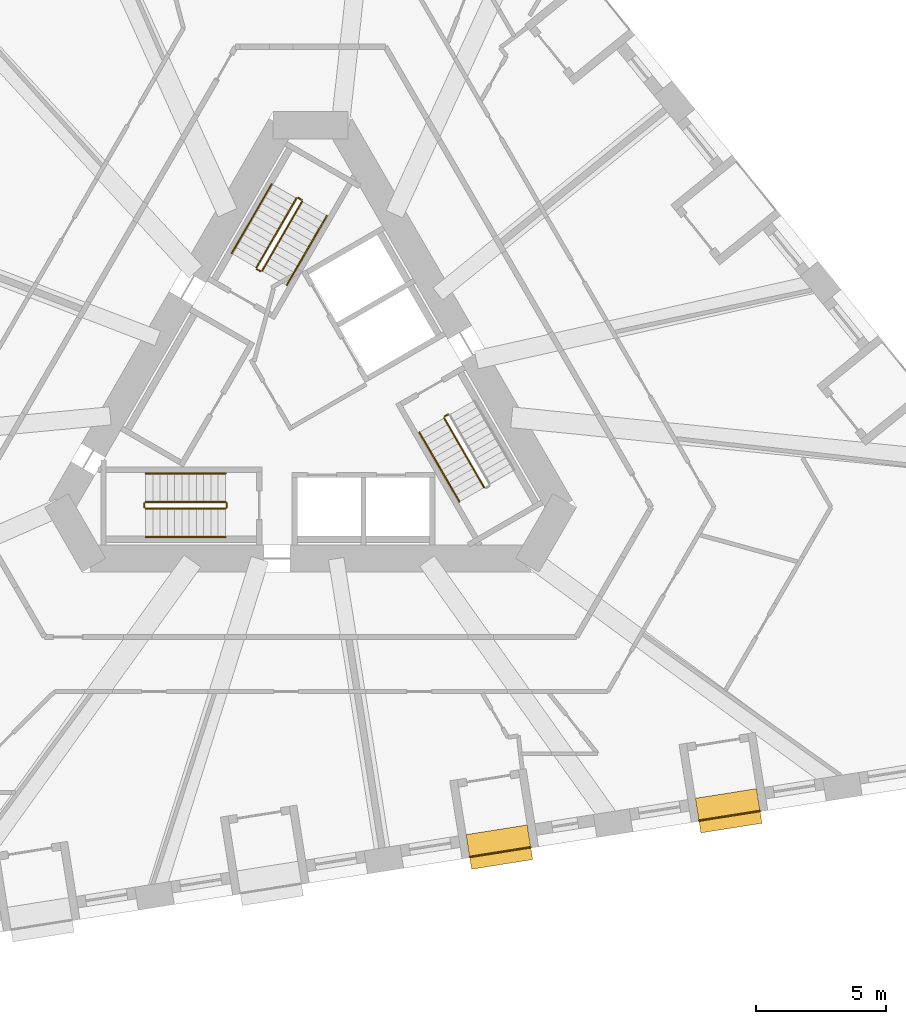
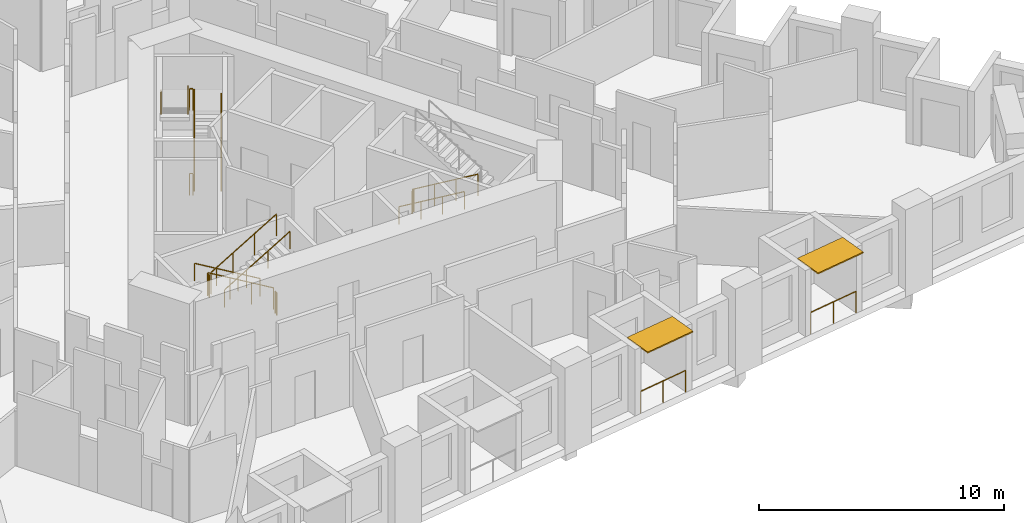
# One storey, part 11 of 13: 17 railings, 2 shading devices.
"""IFC4 building model written with IfcOpenShell, lengths in metres."""

from ifc_helpers import new_model, si_unit, direction, frame, origin, origin_2d, place, context, subcontext, project, spatial, rectangle, circle, extrude, material, layer, layer_set, type_object, element, save


model = new_model("IFC4")

# Units and contexts
model_context = context("Model", 3, precision=1e-05, world=origin(), true_north=direction((0.0, 1.0)))
body_context = subcontext(model_context, "Body", "Model", "MODEL_VIEW")
ifc_project = project(units=[si_unit("LENGTHUNIT", "METRE"), si_unit("AREAUNIT", "SQUARE_METRE"), si_unit("VOLUMEUNIT", "CUBIC_METRE"), si_unit("PLANEANGLEUNIT", "RADIAN"), si_unit("MASSUNIT", "GRAM", prefix="KILO")], contexts=[model_context])

# Site, building, storey
site_placement = place(None, origin())
site = spatial("IfcSite", under=ifc_project, at=site_placement, CompositionType="ELEMENT")
building_placement = place(site_placement, origin())
building = spatial("IfcBuilding", under=site, at=building_placement, Name="Tramontana Tower", CompositionType="ELEMENT")
storey_placement = place(building_placement, frame((0.0, 0.0, 51.199951171875)))
storey = spatial("IfcBuildingStorey", under=building, at=storey_placement, Name="L10", CompositionType="ELEMENT", Elevation=51.199951171875)

# Railings
ifc_material_1 = material(Name="Laminated glass balustrade", Category="glass")
railing_type_1 = type_object("IfcRailingType", Name="GD1 Loggia glass balustrade 1100", PredefinedType="BALUSTRADE", material=ifc_material_1)
railing_1_placement = place(storey_placement, frame((6.1318359375, -17.72900390625, 0.0)))
element("IfcRailing", 1, at=railing_1_placement, inside=storey, type_object=railing_type_1, Name="Loggia balustrade L10 G1S1.10", PredefinedType="BALUSTRADE", context=body_context, shape_type="SweptSolid", body=[
    extrude(circle(Radius=0.02392578125, at=origin_2d()), frame((0.0, 0.0, 1.076171875), z_axis=(0.987688093492, 0.15643602518, 0.0), x_axis=(-0.15643602518, 0.987688093492, 0.0)), (0.0, 0.0, 1.0), 2.383056640625),
    extrude(circle(Radius=0.02099609375, at=origin_2d()), origin(), (0.0, 0.0, 1.0), 1.052001953125),
    extrude(circle(Radius=0.02099609375, at=origin_2d()), frame((1.1767578125, 0.1865234375, 0.0)), (0.0, 0.0, 1.0), 1.052001953125),
    extrude(circle(Radius=0.02099609375, at=origin_2d()), frame((2.353759765625, 0.372802734375, 0.0)), (0.0, 0.0, 1.0), 1.052001953125),
])
railing_2_placement = place(storey_placement, frame((14.970703125, -16.3291015625, 0.0)))
element("IfcRailing", 2, at=railing_2_placement, inside=storey, type_object=railing_type_1, Name="Loggia balustrade L10 G1S1.13", PredefinedType="BALUSTRADE", context=body_context, shape_type="SweptSolid", body=[
    extrude(circle(Radius=0.02392578125, at=origin_2d()), frame((0.0, 0.0, 1.076171875), z_axis=(0.987685586014, 0.156451855793, 0.0), x_axis=(-0.156451855793, 0.987685586014, 0.0)), (0.0, 0.0, 1.0), 2.3828125),
    extrude(circle(Radius=0.02099609375, at=origin_2d()), origin(), (0.0, 0.0, 1.0), 1.052001953125),
    extrude(circle(Radius=0.02099609375, at=origin_2d()), frame((1.1767578125, 0.1865234375, 0.0)), (0.0, 0.0, 1.0), 1.052001953125),
    extrude(circle(Radius=0.02099609375, at=origin_2d()), frame((2.353515625, 0.372802734375, 0.0)), (0.0, 0.0, 1.0), 1.052001953125),
])

# Shading devices
ifc_material_2 = material(Name="Precast concrete 60 MPa", Category="concrete")
ifc_layer = layer(ifc_material_2, 0.06005859375)
ifc_layer_set = layer_set([ifc_layer], Name="SS1 Stone sunshade blade 60")
shading_device_type = type_object("IfcShadingDeviceType", Name="SS1 Stone sunshade blade 60", PredefinedType="USERDEFINED", material=ifc_layer_set)
for number, where, z_axis, x_axis, name in (
    (3, (7.2783203125, -17.35009765625, 3.239990234375), (0.0, 0.0, 1.0), (0.987688340595, 0.15643446504, 0.0), "Sunshade L10 G1S1.10"),
    (4, (16.116943359375, -15.9501953125, 3.239990234375), (0.0, 0.0, 1.0), (0.987688340595, 0.15643446504, 0.0), "Sunshade L10 G1S1.13"),
):
    element("IfcShadingDevice", number, at=place(storey_placement, frame(where, z_axis=z_axis, x_axis=x_axis)), inside=storey, type_object=shading_device_type, Name=name, ObjectType="SUNSHADE", PredefinedType="USERDEFINED", context=body_context, shape_type="SweptSolid", body=[
        extrude(rectangle(XDim=2.383056640625, YDim=1.35009765625, at=origin_2d()), origin(), (0.0, 0.0, 1.0), 0.06005859375),
    ])

# Railings
ifc_material_3 = material(Name="Painted steel", Category="steel")
railing_type_2 = type_object("IfcRailingType", Name="STAIR GUARD 1100", PredefinedType="GUARDRAIL", material=ifc_material_3)
railing_3_placement = place(storey_placement, frame((-1.867431640625, 4.865478515625, 0.166748046875)))
element("IfcRailing", 5, at=railing_3_placement, inside=storey, type_object=railing_type_2, Name="L10 ST1 stair guard 1", PredefinedType="GUARDRAIL", context=body_context, shape_type="SweptSolid", body=[
    extrude(circle(Radius=0.02392578125, at=origin_2d()), frame((0.0, 0.0, 1.076171875), z_axis=(0.429649414936, 0.744189839504, 0.511451721109), x_axis=(-0.866029832698, 0.499992328818, 0.0)), (0.0, 0.0, 1.0), 3.58447265625),
    extrude(circle(Radius=0.02099609375, at=origin_2d()), origin(), (0.0, 0.0, 1.0), 1.052001953125),
    extrude(circle(Radius=0.02099609375, at=origin_2d()), frame((0.513427734375, 0.88916015625, 0.611083984375)), (0.0, 0.0, 1.0), 1.052001953125),
    extrude(circle(Radius=0.02099609375, at=origin_2d()), frame((1.026611328125, 1.7783203125, 1.22216796875)), (0.0, 0.0, 1.0), 1.052001953125),
    extrude(circle(Radius=0.02099609375, at=origin_2d()), frame((1.5400390625, 2.66748046875, 1.833251953125)), (0.0, 0.0, 1.0), 1.052001953125),
])
railing_4_placement = place(storey_placement, frame((-0.5439453125, 7.657958984375, 2.166748046875)))
element("IfcRailing", 6, at=railing_4_placement, inside=storey, type_object=railing_type_2, Name="L10 ST1 stair guard 2", PredefinedType="GUARDRAIL", context=body_context, shape_type="SweptSolid", body=[
    extrude(circle(Radius=0.02392578125, at=origin_2d()), frame((0.0, 0.0, 1.076171875), z_axis=(-0.429649414936, -0.744189839504, 0.511451721109), x_axis=(0.866029832698, -0.499992328818, 0.0)), (0.0, 0.0, 1.0), 3.58447265625),
    extrude(circle(Radius=0.02099609375, at=origin_2d()), origin(), (0.0, 0.0, 1.0), 1.052001953125),
    extrude(circle(Radius=0.02099609375, at=origin_2d()), frame((-0.513427734375, -0.88916015625, 0.611083984375)), (0.0, 0.0, 1.0), 1.052001953125),
    extrude(circle(Radius=0.02099609375, at=origin_2d()), frame((-1.026611328125, -1.7783203125, 1.22216796875)), (0.0, 0.0, 1.0), 1.052001953125),
    extrude(circle(Radius=0.02099609375, at=origin_2d()), frame((-1.5400390625, -2.66748046875, 1.833251953125)), (0.0, 0.0, 1.0), 1.052001953125),
])
railing_5_placement = place(storey_placement, frame((-0.345703125, 7.601318359375, 2.0)))
element("IfcRailing", 7, at=railing_5_placement, inside=storey, type_object=railing_type_2, Name="L10 ST1 stair guard 3", PredefinedType="GUARDRAIL", context=body_context, shape_type="SweptSolid", body=[
    extrude(circle(Radius=0.02392578125, at=origin_2d()), frame((0.0, 0.0, 1.076171875), z_axis=(-0.866131372301, 0.499816412211, 0.0), x_axis=(-0.499816412211, -0.866131372301, 0.0)), (0.0, 0.0, 1.0), 0.14990234375),
    extrude(circle(Radius=0.02099609375, at=origin_2d()), origin(), (0.0, 0.0, 1.0), 1.052001953125),
    extrude(circle(Radius=0.02099609375, at=origin_2d()), frame((-0.1298828125, 0.074951171875, 0.0)), (0.0, 0.0, 1.0), 1.052001953125),
])
railing_6_placement = place(storey_placement, frame((-1.935791015625, 4.84716796875, 0.0)))
element("IfcRailing", 8, at=railing_6_placement, inside=storey, type_object=railing_type_2, Name="L10 ST1 stair guard 4", PredefinedType="GUARDRAIL", context=body_context, shape_type="SweptSolid", body=[
    extrude(circle(Radius=0.02392578125, at=origin_2d()), frame((0.0, 0.0, 1.076171875), z_axis=(-0.865426285481, 0.501036270542, 0.0), x_axis=(-0.501036270542, -0.865426285481, 0.0)), (0.0, 0.0, 1.0), 0.150146484375),
    extrude(circle(Radius=0.02099609375, at=origin_2d()), origin(), (0.0, 0.0, 1.0), 1.052001953125),
    extrude(circle(Radius=0.02099609375, at=origin_2d()), frame((-0.1298828125, 0.0751953125, 0.0)), (0.0, 0.0, 1.0), 1.052001953125),
])
railing_7_placement = place(storey_placement, frame((-3.280029296875, -4.050048828125, 0.166748046875)))
element("IfcRailing", 9, at=railing_7_placement, inside=storey, type_object=railing_type_2, Name="L10 ST2 stair guard 1", PredefinedType="GUARDRAIL", context=body_context, shape_type="SweptSolid", body=[
    extrude(circle(Radius=0.02392578125, at=origin_2d()), frame((0.0, 0.0, 1.076171875), z_axis=(-0.859308565015, 0.0, 0.511457515432), x_axis=(0.0, -1.0, 0.0)), (0.0, 0.0, 1.0), 3.58447265625),
    extrude(circle(Radius=0.02099609375, at=origin_2d()), origin(), (0.0, 0.0, 1.0), 1.052001953125),
    extrude(circle(Radius=0.02099609375, at=origin_2d()), frame((-1.026611328125, 0.0, 0.611083984375)), (0.0, 0.0, 1.0), 1.052001953125),
    extrude(circle(Radius=0.02099609375, at=origin_2d()), frame((-2.053466796875, 0.0, 1.22216796875)), (0.0, 0.0, 1.0), 1.052001953125),
    extrude(circle(Radius=0.02099609375, at=origin_2d()), frame((-3.080078125, 0.0, 1.833251953125)), (0.0, 0.0, 1.0), 1.052001953125),
])
railing_8_placement = place(storey_placement, frame((-6.360107421875, -4.300048828125, 2.166748046875)))
element("IfcRailing", 10, at=railing_8_placement, inside=storey, type_object=railing_type_2, Name="L10 ST2 stair guard 2", PredefinedType="GUARDRAIL", context=body_context, shape_type="SweptSolid", body=[
    extrude(circle(Radius=0.02392578125, at=origin_2d()), frame((0.0, 0.0, 1.076171875), z_axis=(0.859308565015, 0.0, 0.511457515432), x_axis=(0.0, 1.0, 0.0)), (0.0, 0.0, 1.0), 3.58447265625),
    extrude(circle(Radius=0.02099609375, at=origin_2d()), origin(), (0.0, 0.0, 1.0), 1.052001953125),
    extrude(circle(Radius=0.02099609375, at=origin_2d()), frame((1.026611328125, 0.0, 0.611083984375)), (0.0, 0.0, 1.0), 1.052001953125),
    extrude(circle(Radius=0.02099609375, at=origin_2d()), frame((2.053466796875, 0.0, 1.22216796875)), (0.0, 0.0, 1.0), 1.052001953125),
    extrude(circle(Radius=0.02099609375, at=origin_2d()), frame((3.080078125, 0.0, 1.833251953125)), (0.0, 0.0, 1.0), 1.052001953125),
])
for number, where, name in (
    (11, (-6.409912109375, -4.10009765625, 2.0), "L10 ST2 stair guard 3"),
    (12, (-3.22998046875, -4.10009765625, 0.0), "L10 ST2 stair guard 4"),
):
    element("IfcRailing", number, at=place(storey_placement, frame(where)), inside=storey, type_object=railing_type_2, Name=name, PredefinedType="GUARDRAIL", context=body_context, shape_type="SweptSolid", body=[
        extrude(circle(Radius=0.02392578125, at=origin_2d()), frame((0.0, 0.0, 1.076171875), z_axis=(0.0, -1.0, 0.0), x_axis=(1.0, 0.0, 0.0)), (0.0, 0.0, 1.0), 0.14990234375),
        extrude(circle(Radius=0.02099609375, at=origin_2d()), origin(), (0.0, 0.0, 1.0), 1.052001953125),
        extrude(circle(Radius=0.02099609375, at=origin_2d()), frame((0.0, -0.14990234375, 0.0)), (0.0, 0.0, 1.0), 1.052001953125),
    ])
railing_9_placement = place(storey_placement, frame((5.1474609375, -0.815673828125, 0.166748046875)))
element("IfcRailing", 13, at=railing_9_placement, inside=storey, type_object=railing_type_2, Name="L10 ST3 stair guard 1", PredefinedType="GUARDRAIL", context=body_context, shape_type="SweptSolid", body=[
    extrude(circle(Radius=0.02392578125, at=origin_2d()), frame((0.0, 0.0, 1.076171875), z_axis=(0.429671193721, -0.744159446956, 0.511477646425), x_axis=(0.866010015463, 0.500026652407, 0.0)), (0.0, 0.0, 1.0), 3.584228515625),
    extrude(circle(Radius=0.02099609375, at=origin_2d()), origin(), (0.0, 0.0, 1.0), 1.052001953125),
    extrude(circle(Radius=0.02099609375, at=origin_2d()), frame((0.513427734375, -0.88916015625, 0.611083984375)), (0.0, 0.0, 1.0), 1.052001953125),
    extrude(circle(Radius=0.02099609375, at=origin_2d()), frame((1.026611328125, -1.778076171875, 1.22216796875)), (0.0, 0.0, 1.0), 1.052001953125),
    extrude(circle(Radius=0.02099609375, at=origin_2d()), frame((1.5400390625, -2.667236328125, 1.833251953125)), (0.0, 0.0, 1.0), 1.052001953125),
])
railing_10_placement = place(storey_placement, frame((5.165771484375, -0.747314453125, 0.0)))
element("IfcRailing", 14, at=railing_10_placement, inside=storey, type_object=railing_type_2, Name="L10 ST3 stair guard 4", PredefinedType="GUARDRAIL", context=body_context, shape_type="SweptSolid", body=[
    extrude(circle(Radius=0.02392578125, at=origin_2d()), frame((0.0, 0.0, 1.076171875), z_axis=(0.866131372301, 0.499816412211, 0.0), x_axis=(-0.499816412211, 0.866131372301, 0.0)), (0.0, 0.0, 1.0), 0.14990234375),
    extrude(circle(Radius=0.02099609375, at=origin_2d()), origin(), (0.0, 0.0, 1.0), 1.052001953125),
    extrude(circle(Radius=0.02099609375, at=origin_2d()), frame((0.1298828125, 0.074951171875, 0.0)), (0.0, 0.0, 1.0), 1.052001953125),
])
ifc_material_4 = material(Name="Painted steel", Category="steel")
railing_type_3 = type_object("IfcRailingType", Name="STAIR HANDRAIL 900", PredefinedType="HANDRAIL", material=ifc_material_4)
railing_11_placement = place(storey_placement, frame((-0.914794921875, 4.315673828125, 0.166748046875)))
element("IfcRailing", 15, at=railing_11_placement, inside=storey, type_object=railing_type_3, Name="L10 ST1 stair handrail 1", PredefinedType="HANDRAIL", context=body_context, shape_type="SweptSolid", body=[
    extrude(circle(Radius=0.02392578125, at=origin_2d()), frame((0.0, 0.0, 0.8759765625), z_axis=(0.429671193721, 0.744159446956, 0.511477646425), x_axis=(-0.866010015463, 0.500026652407, 0.0)), (0.0, 0.0, 1.0), 3.584228515625),
    extrude(circle(Radius=0.02099609375, at=origin_2d()), origin(), (0.0, 0.0, 1.0), 0.851806640625),
    extrude(circle(Radius=0.02099609375, at=origin_2d()), frame((0.513427734375, 0.88916015625, 0.611083984375)), (0.0, 0.0, 1.0), 0.851806640625),
    extrude(circle(Radius=0.02099609375, at=origin_2d()), frame((1.026611328125, 1.778076171875, 1.22216796875)), (0.0, 0.0, 1.0), 0.851806640625),
    extrude(circle(Radius=0.02099609375, at=origin_2d()), frame((1.5400390625, 2.667236328125, 1.833251953125)), (0.0, 0.0, 1.0), 0.851806640625),
])
railing_12_placement = place(storey_placement, frame((-1.49658203125, 8.2080078125, 2.166748046875)))
element("IfcRailing", 16, at=railing_12_placement, inside=storey, type_object=railing_type_3, Name="L10 ST1 stair handrail 2", PredefinedType="HANDRAIL", context=body_context, shape_type="SweptSolid", body=[
    extrude(circle(Radius=0.02392578125, at=origin_2d()), frame((0.0, 0.0, 0.8759765625), z_axis=(-0.429649414936, -0.744189839504, 0.511451721109), x_axis=(0.866029832698, -0.499992328818, 0.0)), (0.0, 0.0, 1.0), 3.58447265625),
    extrude(circle(Radius=0.02099609375, at=origin_2d()), origin(), (0.0, 0.0, 1.0), 0.851806640625),
    extrude(circle(Radius=0.02099609375, at=origin_2d()), frame((-0.513427734375, -0.88916015625, 0.611083984375)), (0.0, 0.0, 1.0), 0.851806640625),
    extrude(circle(Radius=0.02099609375, at=origin_2d()), frame((-1.026611328125, -1.7783203125, 1.22216796875)), (0.0, 0.0, 1.0), 0.851806640625),
    extrude(circle(Radius=0.02099609375, at=origin_2d()), frame((-1.5400390625, -2.66748046875, 1.833251953125)), (0.0, 0.0, 1.0), 0.851806640625),
])
railing_13_placement = place(storey_placement, frame((-3.280029296875, -2.949951171875, 0.166748046875)))
element("IfcRailing", 17, at=railing_13_placement, inside=storey, type_object=railing_type_3, Name="L10 ST2 stair handrail 1", PredefinedType="HANDRAIL", context=body_context, shape_type="SweptSolid", body=[
    extrude(circle(Radius=0.02392578125, at=origin_2d()), frame((0.0, 0.0, 0.8759765625), z_axis=(-0.859308565015, 0.0, 0.511457515432), x_axis=(0.0, -1.0, 0.0)), (0.0, 0.0, 1.0), 3.58447265625),
    extrude(circle(Radius=0.02099609375, at=origin_2d()), origin(), (0.0, 0.0, 1.0), 0.851806640625),
    extrude(circle(Radius=0.02099609375, at=origin_2d()), frame((-1.026611328125, 0.0, 0.611083984375)), (0.0, 0.0, 1.0), 0.851806640625),
    extrude(circle(Radius=0.02099609375, at=origin_2d()), frame((-2.053466796875, 0.0, 1.22216796875)), (0.0, 0.0, 1.0), 0.851806640625),
    extrude(circle(Radius=0.02099609375, at=origin_2d()), frame((-3.080078125, 0.0, 1.833251953125)), (0.0, 0.0, 1.0), 0.851806640625),
])
railing_14_placement = place(storey_placement, frame((-6.360107421875, -5.39990234375, 2.166748046875)))
element("IfcRailing", 18, at=railing_14_placement, inside=storey, type_object=railing_type_3, Name="L10 ST2 stair handrail 2", PredefinedType="HANDRAIL", context=body_context, shape_type="SweptSolid", body=[
    extrude(circle(Radius=0.02392578125, at=origin_2d()), frame((0.0, 0.0, 0.8759765625), z_axis=(0.859308565015, 0.0, 0.511457515432), x_axis=(0.0, 1.0, 0.0)), (0.0, 0.0, 1.0), 3.58447265625),
    extrude(circle(Radius=0.02099609375, at=origin_2d()), origin(), (0.0, 0.0, 1.0), 0.851806640625),
    extrude(circle(Radius=0.02099609375, at=origin_2d()), frame((1.026611328125, 0.0, 0.611083984375)), (0.0, 0.0, 1.0), 0.851806640625),
    extrude(circle(Radius=0.02099609375, at=origin_2d()), frame((2.053466796875, 0.0, 1.22216796875)), (0.0, 0.0, 1.0), 0.851806640625),
    extrude(circle(Radius=0.02099609375, at=origin_2d()), frame((3.080078125, 0.0, 1.833251953125)), (0.0, 0.0, 1.0), 0.851806640625),
])
railing_15_placement = place(storey_placement, frame((4.19482421875, -1.365478515625, 0.166748046875)))
element("IfcRailing", 19, at=railing_15_placement, inside=storey, type_object=railing_type_3, Name="L10 ST3 stair handrail 1", PredefinedType="HANDRAIL", context=body_context, shape_type="SweptSolid", body=[
    extrude(circle(Radius=0.02392578125, at=origin_2d()), frame((0.0, 0.0, 0.8759765625), z_axis=(0.429649414936, -0.744189839504, 0.511451721109), x_axis=(0.866029832698, 0.499992328818, 0.0)), (0.0, 0.0, 1.0), 3.58447265625),
    extrude(circle(Radius=0.02099609375, at=origin_2d()), origin(), (0.0, 0.0, 1.0), 0.851806640625),
    extrude(circle(Radius=0.02099609375, at=origin_2d()), frame((0.513427734375, -0.88916015625, 0.611083984375)), (0.0, 0.0, 1.0), 0.851806640625),
    extrude(circle(Radius=0.02099609375, at=origin_2d()), frame((1.026611328125, -1.7783203125, 1.22216796875)), (0.0, 0.0, 1.0), 0.851806640625),
    extrude(circle(Radius=0.02099609375, at=origin_2d()), frame((1.5400390625, -2.66748046875, 1.833251953125)), (0.0, 0.0, 1.0), 0.851806640625),
])

save(model, "model.ifc")
